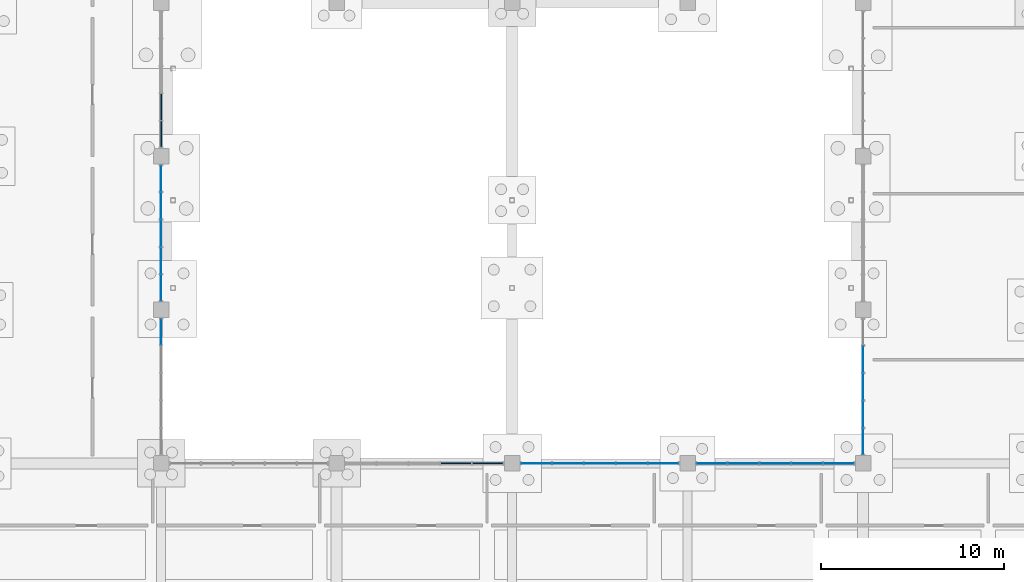
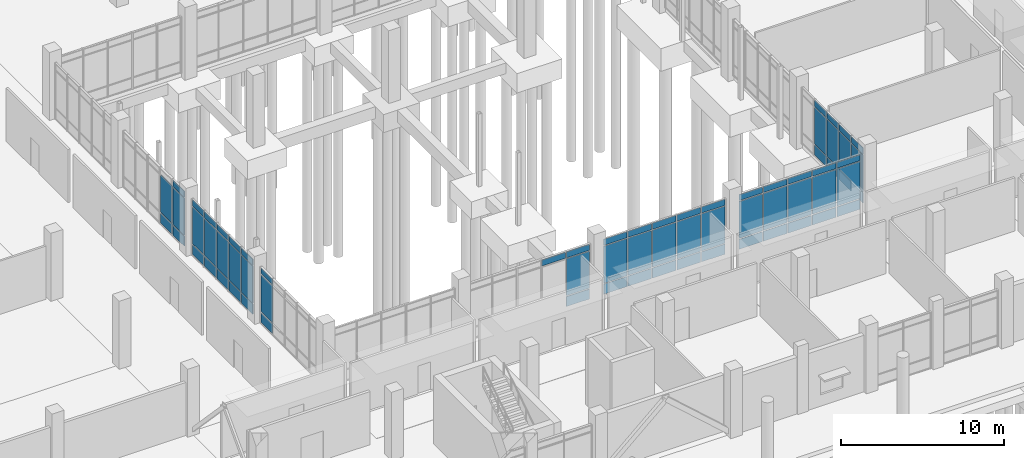
# One storey, part 83 of 136: 69 plates, 7 elements without a shape of their own.
"""IFC4 building model written with IfcOpenShell, lengths in metres."""

from ifc_helpers import new_model, si_unit, direction, frame, origin, origin_2d, place, context, subcontext, project, spatial, rectangle, extrude, material, layer, layer_set, type_object, element, aggregate, save


model = new_model("IFC4")

# Units and contexts
model_context = context("Model", 3, precision=1e-05, world=origin(), true_north=direction((0.0, 1.0)))
body_context = subcontext(model_context, "Body", "Model", "MODEL_VIEW")
ifc_project = project(units=[si_unit("LENGTHUNIT", "METRE"), si_unit("AREAUNIT", "SQUARE_METRE"), si_unit("VOLUMEUNIT", "CUBIC_METRE"), si_unit("PLANEANGLEUNIT", "RADIAN"), si_unit("MASSUNIT", "GRAM", prefix="KILO")], contexts=[model_context])

# Site, building, storey
site_placement = place(None, origin())
site = spatial("IfcSite", under=ifc_project, at=site_placement, CompositionType="ELEMENT")
building_placement = place(site_placement, origin())
building = spatial("IfcBuilding", under=site, at=building_placement, Name="Oolite Switchyard Hospital", CompositionType="ELEMENT")
storey_placement = place(building_placement, origin())
storey = spatial("IfcBuildingStorey", under=building, at=storey_placement, Name="L00", CompositionType="ELEMENT", Elevation=0.0)

# Curtain wall, plates
ifc_material_1 = material(Name="Thermally broken aluminum frame with laminated impact glazing", Category="aluminium")
curtain_wall_type_1 = type_object("IfcCurtainWallType", Name="CW-UNIT-96X51", PredefinedType="USERDEFINED", material=ifc_material_1)
curtain_wall_1_placement = place(storey_placement, origin())
curtain_wall_1 = element("IfcCurtainWall", 1, at=curtain_wall_1_placement, inside=storey, type_object=curtain_wall_type_1, Name="L00 Unitised Curtain Wall 11", ObjectType="UNITISED", PredefinedType="USERDEFINED")
ifc_material_2 = material(Name="Insulated fluoropolymer-coated aluminum spandrel panel", Category="aluminium")
ifc_layer_1 = layer(ifc_material_2, 0.054931640625)
ifc_layer_set_1 = layer_set([ifc_layer_1], Name="CW-PNL-SPN55")
plate_type_1 = type_object("IfcPlateType", Name="CW-PNL-SPN55", PredefinedType="CURTAIN_PANEL", material=ifc_layer_set_1)
plate_1_placement = place(storey_placement, frame((160.14404296875, 25.199951171875, 3.7275390625), z_axis=(0.0, 0.0, 1.0), x_axis=(1.0, 0.0, 0.0)))
plate_1 = element("IfcPlate", 2, at=plate_1_placement, type_object=plate_type_1, Name="CW-01 panel 4.3", PredefinedType="CURTAIN_PANEL", context=body_context, shape_type="SweptSolid", body=[
    extrude(rectangle(XDim=1.6689453125, YDim=0.054931640625, at=origin_2d()), origin(), (0.0, 0.0, 1.0), 0.4375),
])
plate_2_placement = place(storey_placement, frame((161.869140625, 25.199951171875, 0.0751953125), z_axis=(0.0, 0.0, 1.0), x_axis=(1.0, 0.0, 0.0)))
plate_2 = element("IfcPlate", 3, at=plate_2_placement, type_object=plate_type_1, Name="CW-01 panel 5.1", PredefinedType="CURTAIN_PANEL", context=body_context, shape_type="SweptSolid", body=[
    extrude(rectangle(XDim=1.631591796875, YDim=0.054931640625, at=origin_2d()), origin(), (0.0, 0.0, 1.0), 0.737548828125),
])
plate_3_placement = place(storey_placement, frame((161.869140625, 25.199951171875, 0.8876953125), z_axis=(0.0, 0.0, 1.0), x_axis=(1.0, 0.0, 0.0)))
plate_3 = element("IfcPlate", 4, at=plate_3_placement, type_object=plate_type_1, Name="CW-01 panel 5.2", PredefinedType="CURTAIN_PANEL", context=body_context, shape_type="SweptSolid", body=[
    extrude(rectangle(XDim=1.631591796875, YDim=0.054931640625, at=origin_2d()), origin(), (0.0, 0.0, 1.0), 2.764892578125),
])
plate_4_placement = place(storey_placement, frame((161.869140625, 25.199951171875, 3.7275390625), z_axis=(0.0, 0.0, 1.0), x_axis=(1.0, 0.0, 0.0)))
plate_4 = element("IfcPlate", 5, at=plate_4_placement, type_object=plate_type_1, Name="CW-01 panel 5.3", PredefinedType="CURTAIN_PANEL", context=body_context, shape_type="SweptSolid", body=[
    extrude(rectangle(XDim=1.631591796875, YDim=0.054931640625, at=origin_2d()), origin(), (0.0, 0.0, 1.0), 0.4375),
])
aggregate(curtain_wall_1, [plate_1, plate_2, plate_3, plate_4])

curtain_wall_type_2 = type_object("IfcCurtainWallType", Name="CW-UNIT-84X51", PredefinedType="USERDEFINED", material=ifc_material_1)
curtain_wall_2_placement = place(storey_placement, origin())
curtain_wall_2 = element("IfcCurtainWall", 6, at=curtain_wall_2_placement, inside=storey, type_object=curtain_wall_type_2, Name="L00 Unitised Curtain Wall 77", ObjectType="UNITISED", PredefinedType="USERDEFINED")
plate_5_placement = place(storey_placement, frame((144.0, 44.696044921875, 0.0751953125), z_axis=(0.0, 0.0, 1.0), x_axis=(0.0, -1.0, 0.0)))
plate_5 = element("IfcPlate", 7, at=plate_5_placement, type_object=plate_type_1, Name="CW-06 panel 4.1", PredefinedType="CURTAIN_PANEL", context=body_context, shape_type="SweptSolid", body=[
    extrude(rectangle(XDim=1.428955078125, YDim=0.054931640625, at=origin_2d()), origin(), (0.0, 0.0, 1.0), 0.737548828125),
])
plate_6_placement = place(storey_placement, frame((144.0, 44.696044921875, 0.8876953125), z_axis=(0.0, 0.0, 1.0), x_axis=(0.0, -1.0, 0.0)))
plate_6 = element("IfcPlate", 8, at=plate_6_placement, type_object=plate_type_1, Name="CW-06 panel 4.2", PredefinedType="CURTAIN_PANEL", context=body_context, shape_type="SweptSolid", body=[
    extrude(rectangle(XDim=1.428955078125, YDim=0.054931640625, at=origin_2d()), origin(), (0.0, 0.0, 1.0), 2.764892578125),
])
plate_7_placement = place(storey_placement, frame((144.0, 43.210693359375, 0.0751953125), z_axis=(0.0, 0.0, 1.0), x_axis=(0.0, -1.0, 0.0)))
plate_7 = element("IfcPlate", 9, at=plate_7_placement, type_object=plate_type_1, Name="CW-06 panel 5.1", PredefinedType="CURTAIN_PANEL", context=body_context, shape_type="SweptSolid", body=[
    extrude(rectangle(XDim=1.3916015625, YDim=0.054931640625, at=origin_2d()), origin(), (0.0, 0.0, 1.0), 0.737548828125),
])
plate_8_placement = place(storey_placement, frame((144.0, 43.210693359375, 0.8876953125), z_axis=(0.0, 0.0, 1.0), x_axis=(0.0, -1.0, 0.0)))
plate_8 = element("IfcPlate", 10, at=plate_8_placement, type_object=plate_type_1, Name="CW-06 panel 5.2", PredefinedType="CURTAIN_PANEL", context=body_context, shape_type="SweptSolid", body=[
    extrude(rectangle(XDim=1.3916015625, YDim=0.054931640625, at=origin_2d()), origin(), (0.0, 0.0, 1.0), 2.764892578125),
])
plate_9_placement = place(storey_placement, frame((144.0, 43.210693359375, 3.7275390625), z_axis=(0.0, 0.0, 1.0), x_axis=(0.0, -1.0, 0.0)))
plate_9 = element("IfcPlate", 11, at=plate_9_placement, type_object=plate_type_1, Name="CW-06 panel 5.3", PredefinedType="CURTAIN_PANEL", context=body_context, shape_type="SweptSolid", body=[
    extrude(rectangle(XDim=1.3916015625, YDim=0.054931640625, at=origin_2d()), origin(), (0.0, 0.0, 1.0), 0.4375),
])
aggregate(curtain_wall_2, [plate_5, plate_6, plate_7, plate_8, plate_9])

curtain_wall_3_placement = place(storey_placement, origin())
curtain_wall_3 = element("IfcCurtainWall", 12, at=curtain_wall_3_placement, inside=storey, type_object=curtain_wall_type_1, Name="L00 Unitised Curtain Wall 12", ObjectType="UNITISED", PredefinedType="USERDEFINED")
ifc_material_3 = material(Name="Laminated hurricane-impact insulated glazing unit", Category="glass")
ifc_layer_2 = layer(ifc_material_3, 0.028076171875)
ifc_layer_set_2 = layer_set([ifc_layer_2], Name="CW-PNL-VIS28")
plate_type_2 = type_object("IfcPlateType", Name="CW-PNL-VIS28", PredefinedType="CURTAIN_PANEL", material=ifc_layer_set_2)
plate_10_placement = place(storey_placement, frame((164.527099609375, 25.199951171875, 0.06005859375), z_axis=(0.0, 0.0, 1.0), x_axis=(1.0, 0.0, 0.0)))
plate_10 = element("IfcPlate", 13, at=plate_10_placement, type_object=plate_type_2, Name="CW-01 panel 1.1", PredefinedType="CURTAIN_PANEL", context=body_context, shape_type="SweptSolid", body=[
    extrude(rectangle(XDim=1.654052734375, YDim=0.028076171875, at=origin_2d()), origin(), (0.0, 0.0, 1.0), 0.760009765625),
])
plate_11_placement = place(storey_placement, frame((164.527099609375, 25.199951171875, 0.8798828125), z_axis=(0.0, 0.0, 1.0), x_axis=(1.0, 0.0, 0.0)))
plate_11 = element("IfcPlate", 14, at=plate_11_placement, type_object=plate_type_2, Name="CW-01 panel 1.2", PredefinedType="CURTAIN_PANEL", context=body_context, shape_type="SweptSolid", body=[
    extrude(rectangle(XDim=1.654052734375, YDim=0.028076171875, at=origin_2d()), origin(), (0.0, 0.0, 1.0), 2.780029296875),
])
plate_12_placement = place(storey_placement, frame((164.527099609375, 25.199951171875, 3.719970703125), z_axis=(0.0, 0.0, 1.0), x_axis=(1.0, 0.0, 0.0)))
plate_12 = element("IfcPlate", 15, at=plate_12_placement, type_object=plate_type_2, Name="CW-01 panel 1.3", PredefinedType="CURTAIN_PANEL", context=body_context, shape_type="SweptSolid", body=[
    extrude(rectangle(XDim=1.654052734375, YDim=0.028076171875, at=origin_2d()), origin(), (0.0, 0.0, 1.0), 0.4599609375),
])
plate_13_placement = place(storey_placement, frame((166.256103515625, 25.199951171875, 0.06005859375), z_axis=(0.0, 0.0, 1.0), x_axis=(1.0, 0.0, 0.0)))
plate_13 = element("IfcPlate", 16, at=plate_13_placement, type_object=plate_type_2, Name="CW-01 panel 2.1", PredefinedType="CURTAIN_PANEL", context=body_context, shape_type="SweptSolid", body=[
    extrude(rectangle(XDim=1.68408203125, YDim=0.028076171875, at=origin_2d()), origin(), (0.0, 0.0, 1.0), 0.760009765625),
])
plate_14_placement = place(storey_placement, frame((166.256103515625, 25.199951171875, 0.8798828125), z_axis=(0.0, 0.0, 1.0), x_axis=(1.0, 0.0, 0.0)))
plate_14 = element("IfcPlate", 17, at=plate_14_placement, type_object=plate_type_2, Name="CW-01 panel 2.2", PredefinedType="CURTAIN_PANEL", context=body_context, shape_type="SweptSolid", body=[
    extrude(rectangle(XDim=1.68408203125, YDim=0.028076171875, at=origin_2d()), origin(), (0.0, 0.0, 1.0), 2.780029296875),
])
plate_15_placement = place(storey_placement, frame((166.256103515625, 25.199951171875, 3.719970703125), z_axis=(0.0, 0.0, 1.0), x_axis=(1.0, 0.0, 0.0)))
plate_15 = element("IfcPlate", 18, at=plate_15_placement, type_object=plate_type_2, Name="CW-01 panel 2.3", PredefinedType="CURTAIN_PANEL", context=body_context, shape_type="SweptSolid", body=[
    extrude(rectangle(XDim=1.68408203125, YDim=0.028076171875, at=origin_2d()), origin(), (0.0, 0.0, 1.0), 0.4599609375),
])
plate_16_placement = place(storey_placement, frame((168.0, 25.199951171875, 0.06005859375), z_axis=(0.0, 0.0, 1.0), x_axis=(1.0, 0.0, 0.0)))
plate_16 = element("IfcPlate", 19, at=plate_16_placement, type_object=plate_type_2, Name="CW-01 panel 3.1", PredefinedType="CURTAIN_PANEL", context=body_context, shape_type="SweptSolid", body=[
    extrude(rectangle(XDim=1.68408203125, YDim=0.028076171875, at=origin_2d()), origin(), (0.0, 0.0, 1.0), 0.760009765625),
])
plate_17_placement = place(storey_placement, frame((168.0, 25.199951171875, 0.8798828125), z_axis=(0.0, 0.0, 1.0), x_axis=(1.0, 0.0, 0.0)))
plate_17 = element("IfcPlate", 20, at=plate_17_placement, type_object=plate_type_2, Name="CW-01 panel 3.2", PredefinedType="CURTAIN_PANEL", context=body_context, shape_type="SweptSolid", body=[
    extrude(rectangle(XDim=1.68408203125, YDim=0.028076171875, at=origin_2d()), origin(), (0.0, 0.0, 1.0), 2.780029296875),
])
plate_18_placement = place(storey_placement, frame((168.0, 25.199951171875, 3.719970703125), z_axis=(0.0, 0.0, 1.0), x_axis=(1.0, 0.0, 0.0)))
plate_18 = element("IfcPlate", 21, at=plate_18_placement, type_object=plate_type_2, Name="CW-01 panel 3.3", PredefinedType="CURTAIN_PANEL", context=body_context, shape_type="SweptSolid", body=[
    extrude(rectangle(XDim=1.68408203125, YDim=0.028076171875, at=origin_2d()), origin(), (0.0, 0.0, 1.0), 0.4599609375),
])
plate_19_placement = place(storey_placement, frame((169.743896484375, 25.199951171875, 0.06005859375), z_axis=(0.0, 0.0, 1.0), x_axis=(1.0, 0.0, 0.0)))
plate_19 = element("IfcPlate", 22, at=plate_19_placement, type_object=plate_type_2, Name="CW-01 panel 4.1", PredefinedType="CURTAIN_PANEL", context=body_context, shape_type="SweptSolid", body=[
    extrude(rectangle(XDim=1.68408203125, YDim=0.028076171875, at=origin_2d()), origin(), (0.0, 0.0, 1.0), 0.760009765625),
])
plate_20_placement = place(storey_placement, frame((169.743896484375, 25.199951171875, 0.8798828125), z_axis=(0.0, 0.0, 1.0), x_axis=(1.0, 0.0, 0.0)))
plate_20 = element("IfcPlate", 23, at=plate_20_placement, type_object=plate_type_2, Name="CW-01 panel 4.2", PredefinedType="CURTAIN_PANEL", context=body_context, shape_type="SweptSolid", body=[
    extrude(rectangle(XDim=1.68408203125, YDim=0.028076171875, at=origin_2d()), origin(), (0.0, 0.0, 1.0), 2.780029296875),
])
plate_21_placement = place(storey_placement, frame((169.743896484375, 25.199951171875, 3.719970703125), z_axis=(0.0, 0.0, 1.0), x_axis=(1.0, 0.0, 0.0)))
plate_21 = element("IfcPlate", 24, at=plate_21_placement, type_object=plate_type_2, Name="CW-01 panel 4.3", PredefinedType="CURTAIN_PANEL", context=body_context, shape_type="SweptSolid", body=[
    extrude(rectangle(XDim=1.68408203125, YDim=0.028076171875, at=origin_2d()), origin(), (0.0, 0.0, 1.0), 0.4599609375),
])
plate_22_placement = place(storey_placement, frame((171.472900390625, 25.199951171875, 0.06005859375), z_axis=(0.0, 0.0, 1.0), x_axis=(1.0, 0.0, 0.0)))
plate_22 = element("IfcPlate", 25, at=plate_22_placement, type_object=plate_type_2, Name="CW-01 panel 5.1", PredefinedType="CURTAIN_PANEL", context=body_context, shape_type="SweptSolid", body=[
    extrude(rectangle(XDim=1.654052734375, YDim=0.028076171875, at=origin_2d()), origin(), (0.0, 0.0, 1.0), 0.760009765625),
])
plate_23_placement = place(storey_placement, frame((171.472900390625, 25.199951171875, 0.8798828125), z_axis=(0.0, 0.0, 1.0), x_axis=(1.0, 0.0, 0.0)))
plate_23 = element("IfcPlate", 26, at=plate_23_placement, type_object=plate_type_2, Name="CW-01 panel 5.2", PredefinedType="CURTAIN_PANEL", context=body_context, shape_type="SweptSolid", body=[
    extrude(rectangle(XDim=1.654052734375, YDim=0.028076171875, at=origin_2d()), origin(), (0.0, 0.0, 1.0), 2.780029296875),
])
plate_24_placement = place(storey_placement, frame((171.472900390625, 25.199951171875, 3.719970703125), z_axis=(0.0, 0.0, 1.0), x_axis=(1.0, 0.0, 0.0)))
plate_24 = element("IfcPlate", 27, at=plate_24_placement, type_object=plate_type_2, Name="CW-01 panel 5.3", PredefinedType="CURTAIN_PANEL", context=body_context, shape_type="SweptSolid", body=[
    extrude(rectangle(XDim=1.654052734375, YDim=0.028076171875, at=origin_2d()), origin(), (0.0, 0.0, 1.0), 0.4599609375),
])
aggregate(curtain_wall_3, [plate_10, plate_11, plate_12, plate_13, plate_14, plate_15, plate_16, plate_17, plate_18, plate_19, plate_20, plate_21, plate_22, plate_23, plate_24])

curtain_wall_4_placement = place(storey_placement, origin())
curtain_wall_4 = element("IfcCurtainWall", 28, at=curtain_wall_4_placement, inside=storey, type_object=curtain_wall_type_2, Name="L00 Unitised Curtain Wall 75", ObjectType="UNITISED", PredefinedType="USERDEFINED")
plate_25_placement = place(storey_placement, frame((144.0, 32.39306640625, 0.0751953125), z_axis=(0.0, 0.0, 1.0), x_axis=(0.0, -1.0, 0.0)))
plate_25 = element("IfcPlate", 29, at=plate_25_placement, type_object=plate_type_2, Name="CW-06 panel 1.1", PredefinedType="CURTAIN_PANEL", context=body_context, shape_type="SweptSolid", body=[
    extrude(rectangle(XDim=1.4140625, YDim=0.028076171875, at=origin_2d()), origin(), (0.0, 0.0, 1.0), 0.737548828125),
])
plate_26_placement = place(storey_placement, frame((144.0, 32.39306640625, 0.8876953125), z_axis=(0.0, 0.0, 1.0), x_axis=(0.0, -1.0, 0.0)))
plate_26 = element("IfcPlate", 30, at=plate_26_placement, type_object=plate_type_2, Name="CW-06 panel 1.2", PredefinedType="CURTAIN_PANEL", context=body_context, shape_type="SweptSolid", body=[
    extrude(rectangle(XDim=1.4140625, YDim=0.028076171875, at=origin_2d()), origin(), (0.0, 0.0, 1.0), 2.764892578125),
])
plate_27_placement = place(storey_placement, frame((144.0, 32.39306640625, 3.7275390625), z_axis=(0.0, 0.0, 1.0), x_axis=(0.0, -1.0, 0.0)))
plate_27 = element("IfcPlate", 31, at=plate_27_placement, type_object=plate_type_2, Name="CW-06 panel 1.3", PredefinedType="CURTAIN_PANEL", context=body_context, shape_type="SweptSolid", body=[
    extrude(rectangle(XDim=1.4140625, YDim=0.028076171875, at=origin_2d()), origin(), (0.0, 0.0, 1.0), 0.4375),
])
aggregate(curtain_wall_4, [plate_25, plate_26, plate_27])

curtain_wall_5_placement = place(storey_placement, origin())
curtain_wall_5 = element("IfcCurtainWall", 32, at=curtain_wall_5_placement, inside=storey, type_object=curtain_wall_type_1, Name="L00 Unitised Curtain Wall 13", ObjectType="UNITISED", PredefinedType="USERDEFINED")
ifc_layer_3 = layer(ifc_material_3, 0.035888671875)
ifc_layer_set_3 = layer_set([ifc_layer_3], Name="CW-PNL-VIS36")
plate_type_3 = type_object("IfcPlateType", Name="CW-PNL-VIS36", PredefinedType="CURTAIN_PANEL", material=ifc_layer_set_3)
plate_28_placement = place(storey_placement, frame((174.12939453125, 25.199951171875, 0.0751953125), z_axis=(0.0, 0.0, 1.0), x_axis=(1.0, 0.0, 0.0)))
plate_28 = element("IfcPlate", 33, at=plate_28_placement, type_object=plate_type_3, Name="CW-01 panel 1.1", PredefinedType="CURTAIN_PANEL", context=body_context, shape_type="SweptSolid", body=[
    extrude(rectangle(XDim=1.638916015625, YDim=0.035888671875, at=origin_2d()), origin(), (0.0, 0.0, 1.0), 0.737548828125),
])
plate_29_placement = place(storey_placement, frame((174.12939453125, 25.199951171875, 0.8876953125), z_axis=(0.0, 0.0, 1.0), x_axis=(1.0, 0.0, 0.0)))
plate_29 = element("IfcPlate", 34, at=plate_29_placement, type_object=plate_type_3, Name="CW-01 panel 1.2", PredefinedType="CURTAIN_PANEL", context=body_context, shape_type="SweptSolid", body=[
    extrude(rectangle(XDim=1.638916015625, YDim=0.035888671875, at=origin_2d()), origin(), (0.0, 0.0, 1.0), 2.764892578125),
])
plate_30_placement = place(storey_placement, frame((174.12939453125, 25.199951171875, 3.7275390625), z_axis=(0.0, 0.0, 1.0), x_axis=(1.0, 0.0, 0.0)))
plate_30 = element("IfcPlate", 35, at=plate_30_placement, type_object=plate_type_3, Name="CW-01 panel 1.3", PredefinedType="CURTAIN_PANEL", context=body_context, shape_type="SweptSolid", body=[
    extrude(rectangle(XDim=1.638916015625, YDim=0.035888671875, at=origin_2d()), origin(), (0.0, 0.0, 1.0), 0.4375),
])
plate_31_placement = place(storey_placement, frame((175.85595703125, 25.199951171875, 0.0751953125), z_axis=(0.0, 0.0, 1.0), x_axis=(1.0, 0.0, 0.0)))
plate_31 = element("IfcPlate", 36, at=plate_31_placement, type_object=plate_type_3, Name="CW-01 panel 2.1", PredefinedType="CURTAIN_PANEL", context=body_context, shape_type="SweptSolid", body=[
    extrude(rectangle(XDim=1.674072265625, YDim=0.035888671875, at=origin_2d()), origin(), (0.0, 0.0, 1.0), 0.737548828125),
])
plate_32_placement = place(storey_placement, frame((175.85595703125, 25.199951171875, 0.8876953125), z_axis=(0.0, 0.0, 1.0), x_axis=(1.0, 0.0, 0.0)))
plate_32 = element("IfcPlate", 37, at=plate_32_placement, type_object=plate_type_3, Name="CW-01 panel 2.2", PredefinedType="CURTAIN_PANEL", context=body_context, shape_type="SweptSolid", body=[
    extrude(rectangle(XDim=1.674072265625, YDim=0.035888671875, at=origin_2d()), origin(), (0.0, 0.0, 1.0), 2.764892578125),
])
plate_33_placement = place(storey_placement, frame((175.85595703125, 25.199951171875, 3.7275390625), z_axis=(0.0, 0.0, 1.0), x_axis=(1.0, 0.0, 0.0)))
plate_33 = element("IfcPlate", 38, at=plate_33_placement, type_object=plate_type_3, Name="CW-01 panel 2.3", PredefinedType="CURTAIN_PANEL", context=body_context, shape_type="SweptSolid", body=[
    extrude(rectangle(XDim=1.674072265625, YDim=0.035888671875, at=origin_2d()), origin(), (0.0, 0.0, 1.0), 0.4375),
])
plate_34_placement = place(storey_placement, frame((177.60009765625, 25.199951171875, 0.0751953125), z_axis=(0.0, 0.0, 1.0), x_axis=(1.0, 0.0, 0.0)))
plate_34 = element("IfcPlate", 39, at=plate_34_placement, type_object=plate_type_3, Name="CW-01 panel 3.1", PredefinedType="CURTAIN_PANEL", context=body_context, shape_type="SweptSolid", body=[
    extrude(rectangle(XDim=1.674072265625, YDim=0.035888671875, at=origin_2d()), origin(), (0.0, 0.0, 1.0), 0.737548828125),
])
plate_35_placement = place(storey_placement, frame((177.60009765625, 25.199951171875, 0.8876953125), z_axis=(0.0, 0.0, 1.0), x_axis=(1.0, 0.0, 0.0)))
plate_35 = element("IfcPlate", 40, at=plate_35_placement, type_object=plate_type_3, Name="CW-01 panel 3.2", PredefinedType="CURTAIN_PANEL", context=body_context, shape_type="SweptSolid", body=[
    extrude(rectangle(XDim=1.674072265625, YDim=0.035888671875, at=origin_2d()), origin(), (0.0, 0.0, 1.0), 2.764892578125),
])
plate_36_placement = place(storey_placement, frame((177.60009765625, 25.199951171875, 3.7275390625), z_axis=(0.0, 0.0, 1.0), x_axis=(1.0, 0.0, 0.0)))
plate_36 = element("IfcPlate", 41, at=plate_36_placement, type_object=plate_type_3, Name="CW-01 panel 3.3", PredefinedType="CURTAIN_PANEL", context=body_context, shape_type="SweptSolid", body=[
    extrude(rectangle(XDim=1.674072265625, YDim=0.035888671875, at=origin_2d()), origin(), (0.0, 0.0, 1.0), 0.4375),
])
plate_37_placement = place(storey_placement, frame((179.343994140625, 25.199951171875, 0.0751953125), z_axis=(0.0, 0.0, 1.0), x_axis=(1.0, 0.0, 0.0)))
plate_37 = element("IfcPlate", 42, at=plate_37_placement, type_object=plate_type_3, Name="CW-01 panel 4.1", PredefinedType="CURTAIN_PANEL", context=body_context, shape_type="SweptSolid", body=[
    extrude(rectangle(XDim=1.674072265625, YDim=0.035888671875, at=origin_2d()), origin(), (0.0, 0.0, 1.0), 0.737548828125),
])
plate_38_placement = place(storey_placement, frame((179.343994140625, 25.199951171875, 0.8876953125), z_axis=(0.0, 0.0, 1.0), x_axis=(1.0, 0.0, 0.0)))
plate_38 = element("IfcPlate", 43, at=plate_38_placement, type_object=plate_type_3, Name="CW-01 panel 4.2", PredefinedType="CURTAIN_PANEL", context=body_context, shape_type="SweptSolid", body=[
    extrude(rectangle(XDim=1.674072265625, YDim=0.035888671875, at=origin_2d()), origin(), (0.0, 0.0, 1.0), 2.764892578125),
])
plate_39_placement = place(storey_placement, frame((179.343994140625, 25.199951171875, 3.7275390625), z_axis=(0.0, 0.0, 1.0), x_axis=(1.0, 0.0, 0.0)))
plate_39 = element("IfcPlate", 44, at=plate_39_placement, type_object=plate_type_3, Name="CW-01 panel 4.3", PredefinedType="CURTAIN_PANEL", context=body_context, shape_type="SweptSolid", body=[
    extrude(rectangle(XDim=1.674072265625, YDim=0.035888671875, at=origin_2d()), origin(), (0.0, 0.0, 1.0), 0.4375),
])
plate_40_placement = place(storey_placement, frame((181.070556640625, 25.199951171875, 0.0751953125), z_axis=(0.0, 0.0, 1.0), x_axis=(1.0, 0.0, 0.0)))
plate_40 = element("IfcPlate", 45, at=plate_40_placement, type_object=plate_type_3, Name="CW-01 panel 5.1", PredefinedType="CURTAIN_PANEL", context=body_context, shape_type="SweptSolid", body=[
    extrude(rectangle(XDim=1.638916015625, YDim=0.035888671875, at=origin_2d()), origin(), (0.0, 0.0, 1.0), 0.737548828125),
])
plate_41_placement = place(storey_placement, frame((181.070556640625, 25.199951171875, 0.8876953125), z_axis=(0.0, 0.0, 1.0), x_axis=(1.0, 0.0, 0.0)))
plate_41 = element("IfcPlate", 46, at=plate_41_placement, type_object=plate_type_3, Name="CW-01 panel 5.2", PredefinedType="CURTAIN_PANEL", context=body_context, shape_type="SweptSolid", body=[
    extrude(rectangle(XDim=1.638916015625, YDim=0.035888671875, at=origin_2d()), origin(), (0.0, 0.0, 1.0), 2.764892578125),
])
plate_42_placement = place(storey_placement, frame((181.070556640625, 25.199951171875, 3.7275390625), z_axis=(0.0, 0.0, 1.0), x_axis=(1.0, 0.0, 0.0)))
plate_42 = element("IfcPlate", 47, at=plate_42_placement, type_object=plate_type_3, Name="CW-01 panel 5.3", PredefinedType="CURTAIN_PANEL", context=body_context, shape_type="SweptSolid", body=[
    extrude(rectangle(XDim=1.638916015625, YDim=0.035888671875, at=origin_2d()), origin(), (0.0, 0.0, 1.0), 0.4375),
])
aggregate(curtain_wall_5, [plate_28, plate_29, plate_30, plate_31, plate_32, plate_33, plate_34, plate_35, plate_36, plate_37, plate_38, plate_39, plate_40, plate_41, plate_42])

curtain_wall_6_placement = place(storey_placement, origin())
curtain_wall_6 = element("IfcCurtainWall", 48, at=curtain_wall_6_placement, inside=storey, type_object=curtain_wall_type_2, Name="L00 Unitised Curtain Wall 76", ObjectType="UNITISED", PredefinedType="USERDEFINED")
plate_43_placement = place(storey_placement, frame((144.0, 40.79052734375, 0.06005859375), z_axis=(0.0, 0.0, 1.0), x_axis=(0.0, -1.0, 0.0)))
plate_43 = element("IfcPlate", 49, at=plate_43_placement, type_object=plate_type_3, Name="CW-06 panel 1.1", PredefinedType="CURTAIN_PANEL", context=body_context, shape_type="SweptSolid", body=[
    extrude(rectangle(XDim=1.39892578125, YDim=0.035888671875, at=origin_2d()), origin(), (0.0, 0.0, 1.0), 0.760009765625),
])
plate_44_placement = place(storey_placement, frame((144.0, 40.79052734375, 0.8798828125), z_axis=(0.0, 0.0, 1.0), x_axis=(0.0, -1.0, 0.0)))
plate_44 = element("IfcPlate", 50, at=plate_44_placement, type_object=plate_type_3, Name="CW-06 panel 1.2", PredefinedType="CURTAIN_PANEL", context=body_context, shape_type="SweptSolid", body=[
    extrude(rectangle(XDim=1.39892578125, YDim=0.035888671875, at=origin_2d()), origin(), (0.0, 0.0, 1.0), 2.780029296875),
])
plate_45_placement = place(storey_placement, frame((144.0, 40.79052734375, 3.719970703125), z_axis=(0.0, 0.0, 1.0), x_axis=(0.0, -1.0, 0.0)))
plate_45 = element("IfcPlate", 51, at=plate_45_placement, type_object=plate_type_3, Name="CW-06 panel 1.3", PredefinedType="CURTAIN_PANEL", context=body_context, shape_type="SweptSolid", body=[
    extrude(rectangle(XDim=1.39892578125, YDim=0.035888671875, at=origin_2d()), origin(), (0.0, 0.0, 1.0), 0.4599609375),
])
plate_46_placement = place(storey_placement, frame((144.0, 39.303955078125, 0.06005859375), z_axis=(0.0, 0.0, 1.0), x_axis=(0.0, -1.0, 0.0)))
plate_46 = element("IfcPlate", 52, at=plate_46_placement, type_object=plate_type_3, Name="CW-06 panel 2.1", PredefinedType="CURTAIN_PANEL", context=body_context, shape_type="SweptSolid", body=[
    extrude(rectangle(XDim=1.43408203125, YDim=0.035888671875, at=origin_2d()), origin(), (0.0, 0.0, 1.0), 0.760009765625),
])
plate_47_placement = place(storey_placement, frame((144.0, 39.303955078125, 0.8798828125), z_axis=(0.0, 0.0, 1.0), x_axis=(0.0, -1.0, 0.0)))
plate_47 = element("IfcPlate", 53, at=plate_47_placement, type_object=plate_type_3, Name="CW-06 panel 2.2", PredefinedType="CURTAIN_PANEL", context=body_context, shape_type="SweptSolid", body=[
    extrude(rectangle(XDim=1.43408203125, YDim=0.035888671875, at=origin_2d()), origin(), (0.0, 0.0, 1.0), 2.780029296875),
])
plate_48_placement = place(storey_placement, frame((144.0, 39.303955078125, 3.719970703125), z_axis=(0.0, 0.0, 1.0), x_axis=(0.0, -1.0, 0.0)))
plate_48 = element("IfcPlate", 54, at=plate_48_placement, type_object=plate_type_3, Name="CW-06 panel 2.3", PredefinedType="CURTAIN_PANEL", context=body_context, shape_type="SweptSolid", body=[
    extrude(rectangle(XDim=1.43408203125, YDim=0.035888671875, at=origin_2d()), origin(), (0.0, 0.0, 1.0), 0.4599609375),
])
plate_49_placement = place(storey_placement, frame((144.0, 37.800048828125, 0.06005859375), z_axis=(0.0, 0.0, 1.0), x_axis=(0.0, -1.0, 0.0)))
plate_49 = element("IfcPlate", 55, at=plate_49_placement, type_object=plate_type_3, Name="CW-06 panel 3.1", PredefinedType="CURTAIN_PANEL", context=body_context, shape_type="SweptSolid", body=[
    extrude(rectangle(XDim=1.43408203125, YDim=0.035888671875, at=origin_2d()), origin(), (0.0, 0.0, 1.0), 0.760009765625),
])
plate_50_placement = place(storey_placement, frame((144.0, 37.800048828125, 0.8798828125), z_axis=(0.0, 0.0, 1.0), x_axis=(0.0, -1.0, 0.0)))
plate_50 = element("IfcPlate", 56, at=plate_50_placement, type_object=plate_type_3, Name="CW-06 panel 3.2", PredefinedType="CURTAIN_PANEL", context=body_context, shape_type="SweptSolid", body=[
    extrude(rectangle(XDim=1.43408203125, YDim=0.035888671875, at=origin_2d()), origin(), (0.0, 0.0, 1.0), 2.780029296875),
])
plate_51_placement = place(storey_placement, frame((144.0, 37.800048828125, 3.719970703125), z_axis=(0.0, 0.0, 1.0), x_axis=(0.0, -1.0, 0.0)))
plate_51 = element("IfcPlate", 57, at=plate_51_placement, type_object=plate_type_3, Name="CW-06 panel 3.3", PredefinedType="CURTAIN_PANEL", context=body_context, shape_type="SweptSolid", body=[
    extrude(rectangle(XDim=1.43408203125, YDim=0.035888671875, at=origin_2d()), origin(), (0.0, 0.0, 1.0), 0.4599609375),
])
plate_52_placement = place(storey_placement, frame((144.0, 36.2958984375, 0.06005859375), z_axis=(0.0, 0.0, 1.0), x_axis=(0.0, -1.0, 0.0)))
plate_52 = element("IfcPlate", 58, at=plate_52_placement, type_object=plate_type_3, Name="CW-06 panel 4.1", PredefinedType="CURTAIN_PANEL", context=body_context, shape_type="SweptSolid", body=[
    extrude(rectangle(XDim=1.43408203125, YDim=0.035888671875, at=origin_2d()), origin(), (0.0, 0.0, 1.0), 0.760009765625),
])
plate_53_placement = place(storey_placement, frame((144.0, 36.2958984375, 0.8798828125), z_axis=(0.0, 0.0, 1.0), x_axis=(0.0, -1.0, 0.0)))
plate_53 = element("IfcPlate", 59, at=plate_53_placement, type_object=plate_type_3, Name="CW-06 panel 4.2", PredefinedType="CURTAIN_PANEL", context=body_context, shape_type="SweptSolid", body=[
    extrude(rectangle(XDim=1.43408203125, YDim=0.035888671875, at=origin_2d()), origin(), (0.0, 0.0, 1.0), 2.780029296875),
])
plate_54_placement = place(storey_placement, frame((144.0, 36.2958984375, 3.719970703125), z_axis=(0.0, 0.0, 1.0), x_axis=(0.0, -1.0, 0.0)))
plate_54 = element("IfcPlate", 60, at=plate_54_placement, type_object=plate_type_3, Name="CW-06 panel 4.3", PredefinedType="CURTAIN_PANEL", context=body_context, shape_type="SweptSolid", body=[
    extrude(rectangle(XDim=1.43408203125, YDim=0.035888671875, at=origin_2d()), origin(), (0.0, 0.0, 1.0), 0.4599609375),
])
plate_55_placement = place(storey_placement, frame((144.0, 34.8095703125, 0.06005859375), z_axis=(0.0, 0.0, 1.0), x_axis=(0.0, -1.0, 0.0)))
plate_55 = element("IfcPlate", 61, at=plate_55_placement, type_object=plate_type_3, Name="CW-06 panel 5.1", PredefinedType="CURTAIN_PANEL", context=body_context, shape_type="SweptSolid", body=[
    extrude(rectangle(XDim=1.39892578125, YDim=0.035888671875, at=origin_2d()), origin(), (0.0, 0.0, 1.0), 0.760009765625),
])
plate_56_placement = place(storey_placement, frame((144.0, 34.8095703125, 0.8798828125), z_axis=(0.0, 0.0, 1.0), x_axis=(0.0, -1.0, 0.0)))
plate_56 = element("IfcPlate", 62, at=plate_56_placement, type_object=plate_type_3, Name="CW-06 panel 5.2", PredefinedType="CURTAIN_PANEL", context=body_context, shape_type="SweptSolid", body=[
    extrude(rectangle(XDim=1.39892578125, YDim=0.035888671875, at=origin_2d()), origin(), (0.0, 0.0, 1.0), 2.780029296875),
])
plate_57_placement = place(storey_placement, frame((144.0, 34.8095703125, 3.719970703125), z_axis=(0.0, 0.0, 1.0), x_axis=(0.0, -1.0, 0.0)))
plate_57 = element("IfcPlate", 63, at=plate_57_placement, type_object=plate_type_3, Name="CW-06 panel 5.3", PredefinedType="CURTAIN_PANEL", context=body_context, shape_type="SweptSolid", body=[
    extrude(rectangle(XDim=1.39892578125, YDim=0.035888671875, at=origin_2d()), origin(), (0.0, 0.0, 1.0), 0.4599609375),
])
aggregate(curtain_wall_6, [plate_43, plate_44, plate_45, plate_46, plate_47, plate_48, plate_49, plate_50, plate_51, plate_52, plate_53, plate_54, plate_55, plate_56, plate_57])

curtain_wall_7_placement = place(storey_placement, origin())
curtain_wall_7 = element("IfcCurtainWall", 64, at=curtain_wall_7_placement, inside=storey, type_object=curtain_wall_type_2, Name="L00 Unitised Curtain Wall 82", ObjectType="UNITISED", PredefinedType="USERDEFINED")
ifc_layer_4 = layer(ifc_material_3, 0.0419921875)
ifc_layer_set_4 = layer_set([ifc_layer_4], Name="CW-PNL-VIS42")
plate_type_4 = type_object("IfcPlateType", Name="CW-PNL-VIS42", PredefinedType="CURTAIN_PANEL", material=ifc_layer_set_4)
plate_58_placement = place(storey_placement, frame((182.39990234375, 26.409423828125, 0.06005859375), z_axis=(0.0, 0.0, 1.0), x_axis=(0.0, 1.0, 0.0)))
plate_58 = element("IfcPlate", 65, at=plate_58_placement, type_object=plate_type_4, Name="CW-06 panel 1.1", PredefinedType="CURTAIN_PANEL", context=body_context, shape_type="SweptSolid", body=[
    extrude(rectangle(XDim=1.39892578125, YDim=0.0419921875, at=origin_2d()), origin(), (0.0, 0.0, 1.0), 0.760009765625),
])
plate_59_placement = place(storey_placement, frame((182.39990234375, 26.409423828125, 0.8798828125), z_axis=(0.0, 0.0, 1.0), x_axis=(0.0, 1.0, 0.0)))
plate_59 = element("IfcPlate", 66, at=plate_59_placement, type_object=plate_type_4, Name="CW-06 panel 1.2", PredefinedType="CURTAIN_PANEL", context=body_context, shape_type="SweptSolid", body=[
    extrude(rectangle(XDim=1.39892578125, YDim=0.0419921875, at=origin_2d()), origin(), (0.0, 0.0, 1.0), 2.780029296875),
])
plate_60_placement = place(storey_placement, frame((182.39990234375, 26.409423828125, 3.719970703125), z_axis=(0.0, 0.0, 1.0), x_axis=(0.0, 1.0, 0.0)))
plate_60 = element("IfcPlate", 67, at=plate_60_placement, type_object=plate_type_4, Name="CW-06 panel 1.3", PredefinedType="CURTAIN_PANEL", context=body_context, shape_type="SweptSolid", body=[
    extrude(rectangle(XDim=1.39892578125, YDim=0.0419921875, at=origin_2d()), origin(), (0.0, 0.0, 1.0), 0.4599609375),
])
plate_61_placement = place(storey_placement, frame((182.39990234375, 27.89599609375, 0.06005859375), z_axis=(0.0, 0.0, 1.0), x_axis=(0.0, 1.0, 0.0)))
plate_61 = element("IfcPlate", 68, at=plate_61_placement, type_object=plate_type_4, Name="CW-06 panel 2.1", PredefinedType="CURTAIN_PANEL", context=body_context, shape_type="SweptSolid", body=[
    extrude(rectangle(XDim=1.43408203125, YDim=0.0419921875, at=origin_2d()), origin(), (0.0, 0.0, 1.0), 0.760009765625),
])
plate_62_placement = place(storey_placement, frame((182.39990234375, 27.89599609375, 0.8798828125), z_axis=(0.0, 0.0, 1.0), x_axis=(0.0, 1.0, 0.0)))
plate_62 = element("IfcPlate", 69, at=plate_62_placement, type_object=plate_type_4, Name="CW-06 panel 2.2", PredefinedType="CURTAIN_PANEL", context=body_context, shape_type="SweptSolid", body=[
    extrude(rectangle(XDim=1.43408203125, YDim=0.0419921875, at=origin_2d()), origin(), (0.0, 0.0, 1.0), 2.780029296875),
])
plate_63_placement = place(storey_placement, frame((182.39990234375, 27.89599609375, 3.719970703125), z_axis=(0.0, 0.0, 1.0), x_axis=(0.0, 1.0, 0.0)))
plate_63 = element("IfcPlate", 70, at=plate_63_placement, type_object=plate_type_4, Name="CW-06 panel 2.3", PredefinedType="CURTAIN_PANEL", context=body_context, shape_type="SweptSolid", body=[
    extrude(rectangle(XDim=1.43408203125, YDim=0.0419921875, at=origin_2d()), origin(), (0.0, 0.0, 1.0), 0.4599609375),
])
plate_64_placement = place(storey_placement, frame((182.39990234375, 29.39990234375, 0.06005859375), z_axis=(0.0, 0.0, 1.0), x_axis=(0.0, 1.0, 0.0)))
plate_64 = element("IfcPlate", 71, at=plate_64_placement, type_object=plate_type_4, Name="CW-06 panel 3.1", PredefinedType="CURTAIN_PANEL", context=body_context, shape_type="SweptSolid", body=[
    extrude(rectangle(XDim=1.43408203125, YDim=0.0419921875, at=origin_2d()), origin(), (0.0, 0.0, 1.0), 0.760009765625),
])
plate_65_placement = place(storey_placement, frame((182.39990234375, 29.39990234375, 0.8798828125), z_axis=(0.0, 0.0, 1.0), x_axis=(0.0, 1.0, 0.0)))
plate_65 = element("IfcPlate", 72, at=plate_65_placement, type_object=plate_type_4, Name="CW-06 panel 3.2", PredefinedType="CURTAIN_PANEL", context=body_context, shape_type="SweptSolid", body=[
    extrude(rectangle(XDim=1.43408203125, YDim=0.0419921875, at=origin_2d()), origin(), (0.0, 0.0, 1.0), 2.780029296875),
])
plate_66_placement = place(storey_placement, frame((182.39990234375, 29.39990234375, 3.719970703125), z_axis=(0.0, 0.0, 1.0), x_axis=(0.0, 1.0, 0.0)))
plate_66 = element("IfcPlate", 73, at=plate_66_placement, type_object=plate_type_4, Name="CW-06 panel 3.3", PredefinedType="CURTAIN_PANEL", context=body_context, shape_type="SweptSolid", body=[
    extrude(rectangle(XDim=1.43408203125, YDim=0.0419921875, at=origin_2d()), origin(), (0.0, 0.0, 1.0), 0.4599609375),
])
plate_67_placement = place(storey_placement, frame((182.39990234375, 30.904052734375, 0.06005859375), z_axis=(0.0, 0.0, 1.0), x_axis=(0.0, 1.0, 0.0)))
plate_67 = element("IfcPlate", 74, at=plate_67_placement, type_object=plate_type_4, Name="CW-06 panel 4.1", PredefinedType="CURTAIN_PANEL", context=body_context, shape_type="SweptSolid", body=[
    extrude(rectangle(XDim=1.43408203125, YDim=0.0419921875, at=origin_2d()), origin(), (0.0, 0.0, 1.0), 0.760009765625),
])
plate_68_placement = place(storey_placement, frame((182.39990234375, 30.904052734375, 0.8798828125), z_axis=(0.0, 0.0, 1.0), x_axis=(0.0, 1.0, 0.0)))
plate_68 = element("IfcPlate", 75, at=plate_68_placement, type_object=plate_type_4, Name="CW-06 panel 4.2", PredefinedType="CURTAIN_PANEL", context=body_context, shape_type="SweptSolid", body=[
    extrude(rectangle(XDim=1.43408203125, YDim=0.0419921875, at=origin_2d()), origin(), (0.0, 0.0, 1.0), 2.780029296875),
])
plate_69_placement = place(storey_placement, frame((182.39990234375, 30.904052734375, 3.719970703125), z_axis=(0.0, 0.0, 1.0), x_axis=(0.0, 1.0, 0.0)))
plate_69 = element("IfcPlate", 76, at=plate_69_placement, type_object=plate_type_4, Name="CW-06 panel 4.3", PredefinedType="CURTAIN_PANEL", context=body_context, shape_type="SweptSolid", body=[
    extrude(rectangle(XDim=1.43408203125, YDim=0.0419921875, at=origin_2d()), origin(), (0.0, 0.0, 1.0), 0.4599609375),
])
aggregate(curtain_wall_7, [plate_58, plate_59, plate_60, plate_61, plate_62, plate_63, plate_64, plate_65, plate_66, plate_67, plate_68, plate_69])

save(model, "model.ifc")
